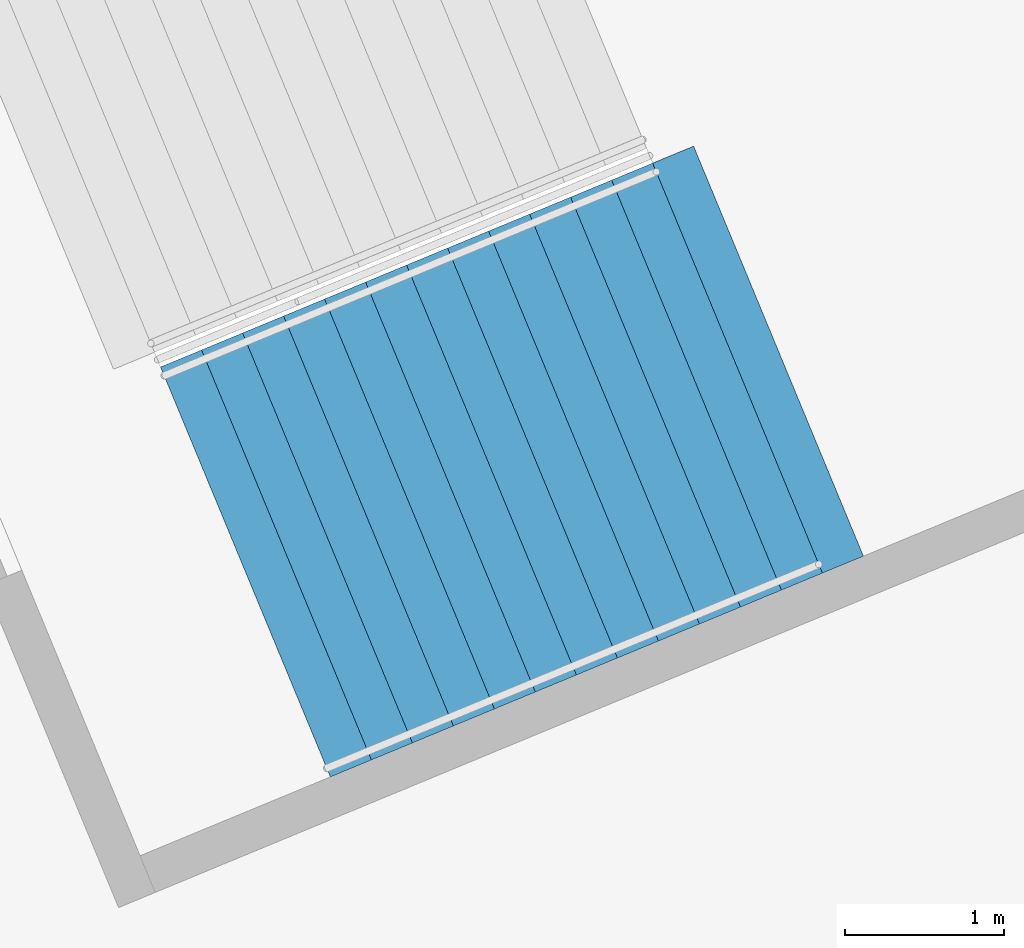
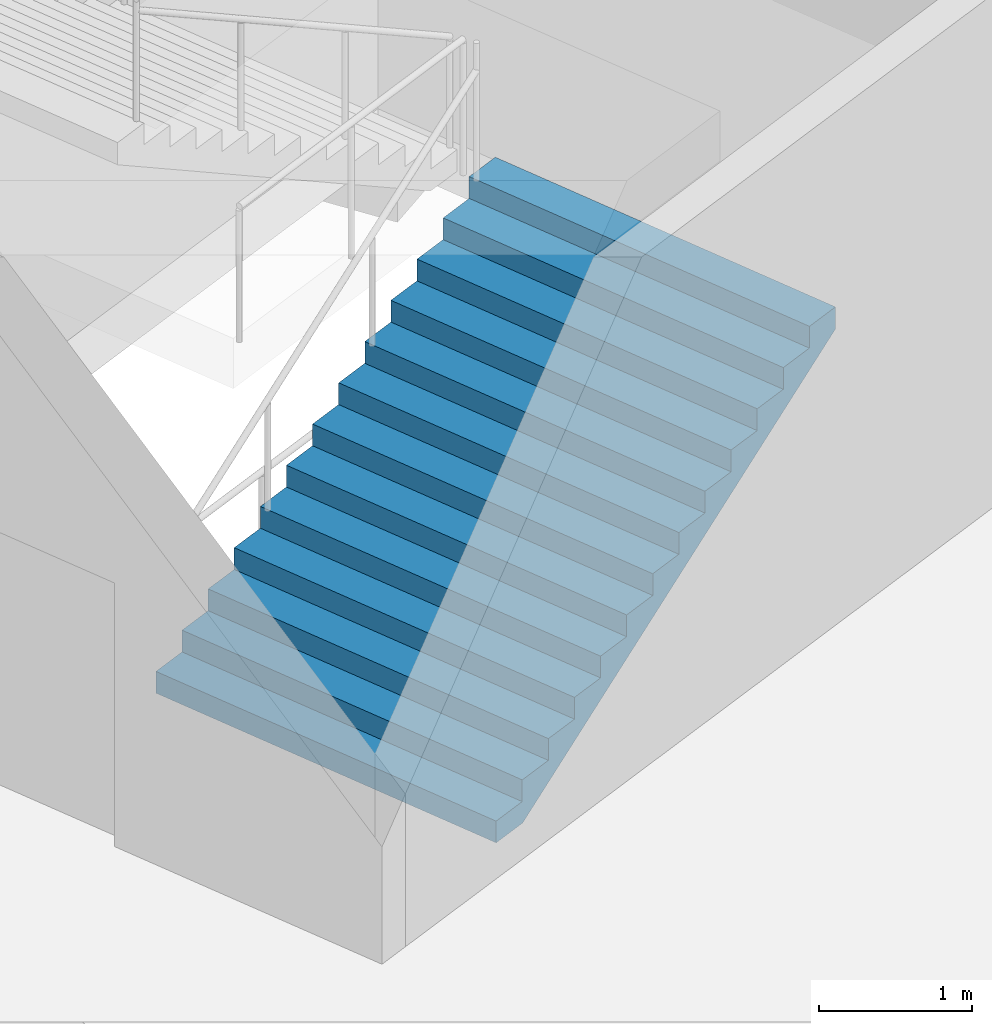
# One storey, part 178 of 199: 1 stair flight, 1 element without a shape of its own.
"""IFC4 building model written with IfcOpenShell, lengths in metres."""

from ifc_helpers import new_model, si_unit, direction, frame, origin, place, context, subcontext, project, spatial, faceted_brep, material, type_object, element, aggregate, save


model = new_model("IFC4")

# Units and contexts
model_context = context("Model", 3, precision=1e-05, world=origin(), true_north=direction((0.0, 1.0)))
body_context = subcontext(model_context, "Body", "Model", "MODEL_VIEW")
ifc_project = project(units=[si_unit("LENGTHUNIT", "METRE"), si_unit("AREAUNIT", "SQUARE_METRE"), si_unit("VOLUMEUNIT", "CUBIC_METRE"), si_unit("PLANEANGLEUNIT", "RADIAN"), si_unit("MASSUNIT", "GRAM", prefix="KILO")], contexts=[model_context])

# Site, building, storey
site_placement = place(None, origin())
site = spatial("IfcSite", under=ifc_project, at=site_placement, CompositionType="ELEMENT")
building_placement = place(site_placement, origin())
building = spatial("IfcBuilding", under=site, at=building_placement, Name="Ogive Plaza Stadium", CompositionType="ELEMENT")
storey_placement = place(building_placement, frame((0.0, 0.0, 9.0)))
storey = spatial("IfcBuildingStorey", under=building, at=storey_placement, Name="L02", CompositionType="ELEMENT", Elevation=9.0)

# Stair, stair flight
ifc_material_1 = material(Name="Concrete C40/50", Category="concrete")
stair_type = type_object("IfcStairType", Name="Exit stair", PredefinedType="STRAIGHT_RUN_STAIR", material=ifc_material_1)
stair_placement = place(storey_placement, origin())
stair = element("IfcStair", 1, at=stair_placement, inside=storey, type_object=stair_type, Name="Exit stair ST40A L02 to L03", PredefinedType="STRAIGHT_RUN_STAIR")
ifc_material_2 = material(Name="Concrete C40/50", Category="concrete")
stair_flight_type = type_object("IfcStairFlightType", Name="Exit stair flight", PredefinedType="STRAIGHT", material=ifc_material_2)
stair_flight_placement = place(storey_placement, frame((74.819580078125, 64.618408203125, 0.0), z_axis=(0.0, 0.0, 1.0), x_axis=(0.923879532511, 0.382683432365, 0.0)))
stair_flight = element("IfcStairFlight", 2, at=stair_flight_placement, type_object=stair_flight_type, Name="ST40A flight 1", NumberOfRisers=13, NumberOfTreads=12, PredefinedType="STRAIGHT", RiserHeight=0.173076923, TreadLength=0.28, context=body_context, shape_type="Brep", body=[
    faceted_brep([(0.28515625, -1.39990234375, 0.0), (3.639892578125, -1.39990234375, 2.07373046875), (3.639892578125, -1.39990234375, 2.25), (3.360107421875, -1.39990234375, 2.25), (3.360107421875, -1.39990234375, 2.076904296875), (3.080078125, -1.39990234375, 2.076904296875), (3.080078125, -1.39990234375, 1.90380859375), (2.800048828125, -1.39990234375, 1.90380859375), (2.800048828125, -1.39990234375, 1.730712890625), (2.52001953125, -1.39990234375, 1.730712890625), (2.52001953125, -1.39990234375, 1.5576171875), (2.239990234375, -1.39990234375, 1.5576171875), (2.239990234375, -1.39990234375, 1.384521484375), (1.9599609375, -1.39990234375, 1.384521484375), (1.9599609375, -1.39990234375, 1.21142578125), (1.679931640625, -1.39990234375, 1.21142578125), (1.679931640625, -1.39990234375, 1.03857421875), (1.39990234375, -1.39990234375, 1.03857421875), (1.39990234375, -1.39990234375, 0.865478515625), (1.1201171875, -1.39990234375, 0.865478515625), (1.1201171875, -1.39990234375, 0.6923828125), (0.840087890625, -1.39990234375, 0.6923828125), (0.840087890625, -1.39990234375, 0.519287109375), (0.56005859375, -1.39990234375, 0.519287109375), (0.56005859375, -1.39990234375, 0.34619140625), (0.280029296875, -1.39990234375, 0.34619140625), (0.280029296875, -1.39990234375, 0.173095703125), (0.0, -1.39990234375, 0.173095703125), (0.0, -1.39990234375, 0.0), (0.0, 1.39990234375, 0.0), (0.0, 1.39990234375, 0.173095703125), (0.280029296875, 1.39990234375, 0.173095703125), (0.280029296875, 1.39990234375, 0.34619140625), (0.56005859375, 1.39990234375, 0.34619140625), (0.56005859375, 1.39990234375, 0.519287109375), (0.840087890625, 1.39990234375, 0.519287109375), (0.840087890625, 1.39990234375, 0.6923828125), (1.1201171875, 1.39990234375, 0.6923828125), (1.1201171875, 1.39990234375, 0.865478515625), (1.39990234375, 1.39990234375, 0.865478515625), (1.39990234375, 1.39990234375, 1.03857421875), (1.679931640625, 1.39990234375, 1.03857421875), (1.679931640625, 1.39990234375, 1.21142578125), (1.9599609375, 1.39990234375, 1.21142578125), (1.9599609375, 1.39990234375, 1.384521484375), (2.239990234375, 1.39990234375, 1.384521484375), (2.239990234375, 1.39990234375, 1.5576171875), (2.52001953125, 1.39990234375, 1.5576171875), (2.52001953125, 1.39990234375, 1.730712890625), (2.800048828125, 1.39990234375, 1.730712890625), (2.800048828125, 1.39990234375, 1.90380859375), (3.080078125, 1.39990234375, 1.90380859375), (3.080078125, 1.39990234375, 2.076904296875), (3.360107421875, 1.39990234375, 2.076904296875), (3.360107421875, 1.39990234375, 2.25), (3.639892578125, 1.39990234375, 2.25), (3.639892578125, 1.39990234375, 2.07373046875), (0.28515625, 1.39990234375, 0.0), (0.28515625, -1.0888671875, 0.0), (3.639892578125, -1.0888671875, 2.07373046875), (0.28515625, -0.77783203125, 0.0), (3.639892578125, -0.77783203125, 2.07373046875), (0.28515625, -0.466796875, 0.0), (3.639892578125, -0.466796875, 2.07373046875), (0.28515625, -0.155517578125, 0.0), (3.639892578125, -0.155517578125, 2.07373046875), (0.28515625, 0.155517578125, 0.0), (3.639892578125, 0.155517578125, 2.07373046875), (0.28515625, 0.466796875, 0.0), (3.639892578125, 0.466796875, 2.07373046875), (0.28515625, 0.77783203125, 0.0), (3.639892578125, 0.77783203125, 2.07373046875), (0.28515625, 1.0888671875, 0.0), (3.639892578125, 1.0888671875, 2.07373046875), (3.639892578125, -1.0888671875, 2.25), (3.639892578125, -0.77783203125, 2.25), (3.639892578125, -0.466796875, 2.25), (3.639892578125, -0.155517578125, 2.25), (3.639892578125, 0.155517578125, 2.25), (3.639892578125, 0.466796875, 2.25), (3.639892578125, 0.77783203125, 2.25), (3.639892578125, 1.0888671875, 2.25), (3.360107421875, -1.0888671875, 2.25), (3.360107421875, -0.77783203125, 2.25), (3.360107421875, -0.466796875, 2.25), (3.360107421875, -0.155517578125, 2.25), (3.360107421875, 0.155517578125, 2.25), (3.360107421875, 0.466796875, 2.25), (3.360107421875, 0.77783203125, 2.25), (3.360107421875, 1.0888671875, 2.25), (3.360107421875, -1.0888671875, 2.076904296875), (3.360107421875, -0.77783203125, 2.076904296875), (3.360107421875, -0.466796875, 2.076904296875), (3.360107421875, -0.155517578125, 2.076904296875), (3.360107421875, 0.155517578125, 2.076904296875), (3.360107421875, 0.466796875, 2.076904296875), (3.360107421875, 0.77783203125, 2.076904296875), (3.360107421875, 1.0888671875, 2.076904296875), (3.080078125, -1.0888671875, 2.076904296875), (3.080078125, -0.77783203125, 2.076904296875), (3.080078125, -0.466796875, 2.076904296875), (3.080078125, -0.155517578125, 2.076904296875), (3.080078125, 0.155517578125, 2.076904296875), (3.080078125, 0.466796875, 2.076904296875), (3.080078125, 0.77783203125, 2.076904296875), (3.080078125, 1.0888671875, 2.076904296875), (3.080078125, -1.0888671875, 1.90380859375), (3.080078125, -0.77783203125, 1.90380859375), (3.080078125, -0.466796875, 1.90380859375), (3.080078125, -0.155517578125, 1.90380859375), (3.080078125, 0.155517578125, 1.90380859375), (3.080078125, 0.466796875, 1.90380859375), (3.080078125, 0.77783203125, 1.90380859375), (3.080078125, 1.0888671875, 1.90380859375), (2.800048828125, -1.0888671875, 1.90380859375), (2.800048828125, -0.77783203125, 1.90380859375), (2.800048828125, -0.466796875, 1.90380859375), (2.800048828125, -0.155517578125, 1.90380859375), (2.800048828125, 0.155517578125, 1.90380859375), (2.800048828125, 0.466796875, 1.90380859375), (2.800048828125, 0.77783203125, 1.90380859375), (2.800048828125, 1.0888671875, 1.90380859375), (2.800048828125, -1.0888671875, 1.730712890625), (2.800048828125, -0.77783203125, 1.730712890625), (2.800048828125, -0.466796875, 1.730712890625), (2.800048828125, -0.155517578125, 1.730712890625), (2.800048828125, 0.155517578125, 1.730712890625), (2.800048828125, 0.466796875, 1.730712890625), (2.800048828125, 0.77783203125, 1.730712890625), (2.800048828125, 1.0888671875, 1.730712890625), (2.52001953125, -1.0888671875, 1.730712890625), (2.52001953125, -0.77783203125, 1.730712890625), (2.52001953125, -0.466796875, 1.730712890625), (2.52001953125, -0.155517578125, 1.730712890625), (2.52001953125, 0.155517578125, 1.730712890625), (2.52001953125, 0.466796875, 1.730712890625), (2.52001953125, 0.77783203125, 1.730712890625), (2.52001953125, 1.0888671875, 1.730712890625), (2.52001953125, -1.0888671875, 1.5576171875), (2.52001953125, -0.77783203125, 1.5576171875), (2.52001953125, -0.466796875, 1.5576171875), (2.52001953125, -0.155517578125, 1.5576171875), (2.52001953125, 0.155517578125, 1.5576171875), (2.52001953125, 0.466796875, 1.5576171875), (2.52001953125, 0.77783203125, 1.5576171875), (2.52001953125, 1.0888671875, 1.5576171875), (2.239990234375, -1.0888671875, 1.5576171875), (2.239990234375, -0.77783203125, 1.5576171875), (2.239990234375, -0.466796875, 1.5576171875), (2.239990234375, -0.155517578125, 1.5576171875), (2.239990234375, 0.155517578125, 1.5576171875), (2.239990234375, 0.466796875, 1.5576171875), (2.239990234375, 0.77783203125, 1.5576171875), (2.239990234375, 1.0888671875, 1.5576171875), (2.239990234375, -1.0888671875, 1.384521484375), (2.239990234375, -0.77783203125, 1.384521484375), (2.239990234375, -0.466796875, 1.384521484375), (2.239990234375, -0.155517578125, 1.384521484375), (2.239990234375, 0.155517578125, 1.384521484375), (2.239990234375, 0.466796875, 1.384521484375), (2.239990234375, 0.77783203125, 1.384521484375), (2.239990234375, 1.0888671875, 1.384521484375), (1.9599609375, -1.0888671875, 1.384521484375), (1.9599609375, -0.77783203125, 1.384521484375), (1.9599609375, -0.466796875, 1.384521484375), (1.9599609375, -0.155517578125, 1.384521484375), (1.9599609375, 0.155517578125, 1.384521484375), (1.9599609375, 0.466796875, 1.384521484375), (1.9599609375, 0.77783203125, 1.384521484375), (1.9599609375, 1.0888671875, 1.384521484375), (1.9599609375, -1.0888671875, 1.21142578125), (1.9599609375, -0.77783203125, 1.21142578125), (1.9599609375, -0.466796875, 1.21142578125), (1.9599609375, -0.155517578125, 1.21142578125), (1.9599609375, 0.155517578125, 1.21142578125), (1.9599609375, 0.466796875, 1.21142578125), (1.9599609375, 0.77783203125, 1.21142578125), (1.9599609375, 1.0888671875, 1.21142578125), (1.679931640625, -1.0888671875, 1.21142578125), (1.679931640625, -0.77783203125, 1.21142578125), (1.679931640625, -0.466796875, 1.21142578125), (1.679931640625, -0.155517578125, 1.21142578125), (1.679931640625, 0.155517578125, 1.21142578125), (1.679931640625, 0.466796875, 1.21142578125), (1.679931640625, 0.77783203125, 1.21142578125), (1.679931640625, 1.0888671875, 1.21142578125), (1.679931640625, -1.0888671875, 1.03857421875), (1.679931640625, -0.77783203125, 1.03857421875), (1.679931640625, -0.466796875, 1.03857421875), (1.679931640625, -0.155517578125, 1.03857421875), (1.679931640625, 0.155517578125, 1.03857421875), (1.679931640625, 0.466796875, 1.03857421875), (1.679931640625, 0.77783203125, 1.03857421875), (1.679931640625, 1.0888671875, 1.03857421875), (1.39990234375, -1.0888671875, 1.03857421875), (1.39990234375, -0.77783203125, 1.03857421875), (1.39990234375, -0.466796875, 1.03857421875), (1.39990234375, -0.155517578125, 1.03857421875), (1.39990234375, 0.155517578125, 1.03857421875), (1.39990234375, 0.466796875, 1.03857421875), (1.39990234375, 0.77783203125, 1.03857421875), (1.39990234375, 1.0888671875, 1.03857421875), (1.39990234375, -1.0888671875, 0.865478515625), (1.39990234375, -0.77783203125, 0.865478515625), (1.39990234375, -0.466796875, 0.865478515625), (1.39990234375, -0.155517578125, 0.865478515625), (1.39990234375, 0.155517578125, 0.865478515625), (1.39990234375, 0.466796875, 0.865478515625), (1.39990234375, 0.77783203125, 0.865478515625), (1.39990234375, 1.0888671875, 0.865478515625), (1.1201171875, -1.0888671875, 0.865478515625), (1.1201171875, -0.77783203125, 0.865478515625), (1.1201171875, -0.466796875, 0.865478515625), (1.1201171875, -0.155517578125, 0.865478515625), (1.1201171875, 0.155517578125, 0.865478515625), (1.1201171875, 0.466796875, 0.865478515625), (1.1201171875, 0.77783203125, 0.865478515625), (1.1201171875, 1.0888671875, 0.865478515625), (1.1201171875, -1.0888671875, 0.6923828125), (1.1201171875, -0.77783203125, 0.6923828125), (1.1201171875, -0.466796875, 0.6923828125), (1.1201171875, -0.155517578125, 0.6923828125), (1.1201171875, 0.155517578125, 0.6923828125), (1.1201171875, 0.466796875, 0.6923828125), (1.1201171875, 0.77783203125, 0.6923828125), (1.1201171875, 1.0888671875, 0.6923828125), (0.840087890625, -1.0888671875, 0.6923828125), (0.840087890625, -0.77783203125, 0.6923828125), (0.840087890625, -0.466796875, 0.6923828125), (0.840087890625, -0.155517578125, 0.6923828125), (0.840087890625, 0.155517578125, 0.6923828125), (0.840087890625, 0.466796875, 0.6923828125), (0.840087890625, 0.77783203125, 0.6923828125), (0.840087890625, 1.0888671875, 0.6923828125), (0.840087890625, -1.0888671875, 0.519287109375), (0.840087890625, -0.77783203125, 0.519287109375), (0.840087890625, -0.466796875, 0.519287109375), (0.840087890625, -0.155517578125, 0.519287109375), (0.840087890625, 0.155517578125, 0.519287109375), (0.840087890625, 0.466796875, 0.519287109375), (0.840087890625, 0.77783203125, 0.519287109375), (0.840087890625, 1.0888671875, 0.519287109375), (0.56005859375, -1.0888671875, 0.519287109375), (0.56005859375, -0.77783203125, 0.519287109375), (0.56005859375, -0.466796875, 0.519287109375), (0.56005859375, -0.155517578125, 0.519287109375), (0.56005859375, 0.155517578125, 0.519287109375), (0.56005859375, 0.466796875, 0.519287109375), (0.56005859375, 0.77783203125, 0.519287109375), (0.56005859375, 1.0888671875, 0.519287109375), (0.56005859375, -1.0888671875, 0.34619140625), (0.56005859375, -0.77783203125, 0.34619140625), (0.56005859375, -0.466796875, 0.34619140625), (0.56005859375, -0.155517578125, 0.34619140625), (0.56005859375, 0.155517578125, 0.34619140625), (0.56005859375, 0.466796875, 0.34619140625), (0.56005859375, 0.77783203125, 0.34619140625), (0.56005859375, 1.0888671875, 0.34619140625), (0.280029296875, -1.0888671875, 0.34619140625), (0.280029296875, -0.77783203125, 0.34619140625), (0.280029296875, -0.466796875, 0.34619140625), (0.280029296875, -0.155517578125, 0.34619140625), (0.280029296875, 0.155517578125, 0.34619140625), (0.280029296875, 0.466796875, 0.34619140625), (0.280029296875, 0.77783203125, 0.34619140625), (0.280029296875, 1.0888671875, 0.34619140625), (0.280029296875, -1.0888671875, 0.173095703125), (0.280029296875, -0.77783203125, 0.173095703125), (0.280029296875, -0.466796875, 0.173095703125), (0.280029296875, -0.155517578125, 0.173095703125), (0.280029296875, 0.155517578125, 0.173095703125), (0.280029296875, 0.466796875, 0.173095703125), (0.280029296875, 0.77783203125, 0.173095703125), (0.280029296875, 1.0888671875, 0.173095703125), (0.0, -1.0888671875, 0.173095703125), (0.0, -0.77783203125, 0.173095703125), (0.0, -0.466796875, 0.173095703125), (0.0, -0.155517578125, 0.173095703125), (0.0, 0.155517578125, 0.173095703125), (0.0, 0.466796875, 0.173095703125), (0.0, 0.77783203125, 0.173095703125), (0.0, 1.0888671875, 0.173095703125), (0.0, -1.0888671875, 0.0), (0.0, -0.77783203125, 0.0), (0.0, -0.466796875, 0.0), (0.0, -0.155517578125, 0.0), (0.0, 0.155517578125, 0.0), (0.0, 0.466796875, 0.0), (0.0, 0.77783203125, 0.0), (0.0, 1.0888671875, 0.0)], [[[0, 1, 2, 3, 4, 5, 6, 7, 8, 9, 10, 11, 12, 13, 14, 15, 16, 17, 18, 19, 20, 21, 22, 23, 24, 25, 26, 27, 28]], [[29, 30, 31, 32, 33, 34, 35, 36, 37, 38, 39, 40, 41, 42, 43, 44, 45, 46, 47, 48, 49, 50, 51, 52, 53, 54, 55, 56, 57]], [[0, 58, 59, 1]], [[58, 60, 61, 59]], [[60, 62, 63, 61]], [[62, 64, 65, 63]], [[64, 66, 67, 65]], [[66, 68, 69, 67]], [[68, 70, 71, 69]], [[70, 72, 73, 71]], [[72, 57, 56, 73]], [[1, 59, 74, 2]], [[59, 61, 75, 74]], [[61, 63, 76, 75]], [[63, 65, 77, 76]], [[65, 67, 78, 77]], [[67, 69, 79, 78]], [[69, 71, 80, 79]], [[71, 73, 81, 80]], [[73, 56, 55, 81]], [[2, 74, 82, 3]], [[74, 75, 83, 82]], [[75, 76, 84, 83]], [[76, 77, 85, 84]], [[77, 78, 86, 85]], [[78, 79, 87, 86]], [[79, 80, 88, 87]], [[80, 81, 89, 88]], [[81, 55, 54, 89]], [[3, 82, 90, 4]], [[82, 83, 91, 90]], [[83, 84, 92, 91]], [[84, 85, 93, 92]], [[85, 86, 94, 93]], [[86, 87, 95, 94]], [[87, 88, 96, 95]], [[88, 89, 97, 96]], [[89, 54, 53, 97]], [[4, 90, 98, 5]], [[90, 91, 99, 98]], [[91, 92, 100, 99]], [[92, 93, 101, 100]], [[93, 94, 102, 101]], [[94, 95, 103, 102]], [[95, 96, 104, 103]], [[96, 97, 105, 104]], [[97, 53, 52, 105]], [[5, 98, 106, 6]], [[98, 99, 107, 106]], [[99, 100, 108, 107]], [[100, 101, 109, 108]], [[101, 102, 110, 109]], [[102, 103, 111, 110]], [[103, 104, 112, 111]], [[104, 105, 113, 112]], [[105, 52, 51, 113]], [[6, 106, 114, 7]], [[106, 107, 115, 114]], [[107, 108, 116, 115]], [[108, 109, 117, 116]], [[109, 110, 118, 117]], [[110, 111, 119, 118]], [[111, 112, 120, 119]], [[112, 113, 121, 120]], [[113, 51, 50, 121]], [[7, 114, 122, 8]], [[114, 115, 123, 122]], [[115, 116, 124, 123]], [[116, 117, 125, 124]], [[117, 118, 126, 125]], [[118, 119, 127, 126]], [[119, 120, 128, 127]], [[120, 121, 129, 128]], [[121, 50, 49, 129]], [[8, 122, 130, 9]], [[122, 123, 131, 130]], [[123, 124, 132, 131]], [[124, 125, 133, 132]], [[125, 126, 134, 133]], [[126, 127, 135, 134]], [[127, 128, 136, 135]], [[128, 129, 137, 136]], [[129, 49, 48, 137]], [[9, 130, 138, 10]], [[130, 131, 139, 138]], [[131, 132, 140, 139]], [[132, 133, 141, 140]], [[133, 134, 142, 141]], [[134, 135, 143, 142]], [[135, 136, 144, 143]], [[136, 137, 145, 144]], [[137, 48, 47, 145]], [[10, 138, 146, 11]], [[138, 139, 147, 146]], [[139, 140, 148, 147]], [[140, 141, 149, 148]], [[141, 142, 150, 149]], [[142, 143, 151, 150]], [[143, 144, 152, 151]], [[144, 145, 153, 152]], [[145, 47, 46, 153]], [[11, 146, 154, 12]], [[146, 147, 155, 154]], [[147, 148, 156, 155]], [[148, 149, 157, 156]], [[149, 150, 158, 157]], [[150, 151, 159, 158]], [[151, 152, 160, 159]], [[152, 153, 161, 160]], [[153, 46, 45, 161]], [[12, 154, 162, 13]], [[154, 155, 163, 162]], [[155, 156, 164, 163]], [[156, 157, 165, 164]], [[157, 158, 166, 165]], [[158, 159, 167, 166]], [[159, 160, 168, 167]], [[160, 161, 169, 168]], [[161, 45, 44, 169]], [[13, 162, 170, 14]], [[162, 163, 171, 170]], [[163, 164, 172, 171]], [[164, 165, 173, 172]], [[165, 166, 174, 173]], [[166, 167, 175, 174]], [[167, 168, 176, 175]], [[168, 169, 177, 176]], [[169, 44, 43, 177]], [[14, 170, 178, 15]], [[170, 171, 179, 178]], [[171, 172, 180, 179]], [[172, 173, 181, 180]], [[173, 174, 182, 181]], [[174, 175, 183, 182]], [[175, 176, 184, 183]], [[176, 177, 185, 184]], [[177, 43, 42, 185]], [[15, 178, 186, 16]], [[178, 179, 187, 186]], [[179, 180, 188, 187]], [[180, 181, 189, 188]], [[181, 182, 190, 189]], [[182, 183, 191, 190]], [[183, 184, 192, 191]], [[184, 185, 193, 192]], [[185, 42, 41, 193]], [[16, 186, 194, 17]], [[186, 187, 195, 194]], [[187, 188, 196, 195]], [[188, 189, 197, 196]], [[189, 190, 198, 197]], [[190, 191, 199, 198]], [[191, 192, 200, 199]], [[192, 193, 201, 200]], [[193, 41, 40, 201]], [[17, 194, 202, 18]], [[194, 195, 203, 202]], [[195, 196, 204, 203]], [[196, 197, 205, 204]], [[197, 198, 206, 205]], [[198, 199, 207, 206]], [[199, 200, 208, 207]], [[200, 201, 209, 208]], [[201, 40, 39, 209]], [[18, 202, 210, 19]], [[202, 203, 211, 210]], [[203, 204, 212, 211]], [[204, 205, 213, 212]], [[205, 206, 214, 213]], [[206, 207, 215, 214]], [[207, 208, 216, 215]], [[208, 209, 217, 216]], [[209, 39, 38, 217]], [[19, 210, 218, 20]], [[210, 211, 219, 218]], [[211, 212, 220, 219]], [[212, 213, 221, 220]], [[213, 214, 222, 221]], [[214, 215, 223, 222]], [[215, 216, 224, 223]], [[216, 217, 225, 224]], [[217, 38, 37, 225]], [[20, 218, 226, 21]], [[218, 219, 227, 226]], [[219, 220, 228, 227]], [[220, 221, 229, 228]], [[221, 222, 230, 229]], [[222, 223, 231, 230]], [[223, 224, 232, 231]], [[224, 225, 233, 232]], [[225, 37, 36, 233]], [[21, 226, 234, 22]], [[226, 227, 235, 234]], [[227, 228, 236, 235]], [[228, 229, 237, 236]], [[229, 230, 238, 237]], [[230, 231, 239, 238]], [[231, 232, 240, 239]], [[232, 233, 241, 240]], [[233, 36, 35, 241]], [[22, 234, 242, 23]], [[234, 235, 243, 242]], [[235, 236, 244, 243]], [[236, 237, 245, 244]], [[237, 238, 246, 245]], [[238, 239, 247, 246]], [[239, 240, 248, 247]], [[240, 241, 249, 248]], [[241, 35, 34, 249]], [[23, 242, 250, 24]], [[242, 243, 251, 250]], [[243, 244, 252, 251]], [[244, 245, 253, 252]], [[245, 246, 254, 253]], [[246, 247, 255, 254]], [[247, 248, 256, 255]], [[248, 249, 257, 256]], [[249, 34, 33, 257]], [[24, 250, 258, 25]], [[250, 251, 259, 258]], [[251, 252, 260, 259]], [[252, 253, 261, 260]], [[253, 254, 262, 261]], [[254, 255, 263, 262]], [[255, 256, 264, 263]], [[256, 257, 265, 264]], [[257, 33, 32, 265]], [[25, 258, 266, 26]], [[258, 259, 267, 266]], [[259, 260, 268, 267]], [[260, 261, 269, 268]], [[261, 262, 270, 269]], [[262, 263, 271, 270]], [[263, 264, 272, 271]], [[264, 265, 273, 272]], [[265, 32, 31, 273]], [[26, 266, 274, 27]], [[266, 267, 275, 274]], [[267, 268, 276, 275]], [[268, 269, 277, 276]], [[269, 270, 278, 277]], [[270, 271, 279, 278]], [[271, 272, 280, 279]], [[272, 273, 281, 280]], [[273, 31, 30, 281]], [[27, 274, 282, 28]], [[274, 275, 283, 282]], [[275, 276, 284, 283]], [[276, 277, 285, 284]], [[277, 278, 286, 285]], [[278, 279, 287, 286]], [[279, 280, 288, 287]], [[280, 281, 289, 288]], [[281, 30, 29, 289]], [[28, 282, 58, 0]], [[282, 283, 60, 58]], [[283, 284, 62, 60]], [[284, 285, 64, 62]], [[285, 286, 66, 64]], [[286, 287, 68, 66]], [[287, 288, 70, 68]], [[288, 289, 72, 70]], [[289, 29, 57, 72]]]),
])
aggregate(stair, [stair_flight])

save(model, "model.ifc")
